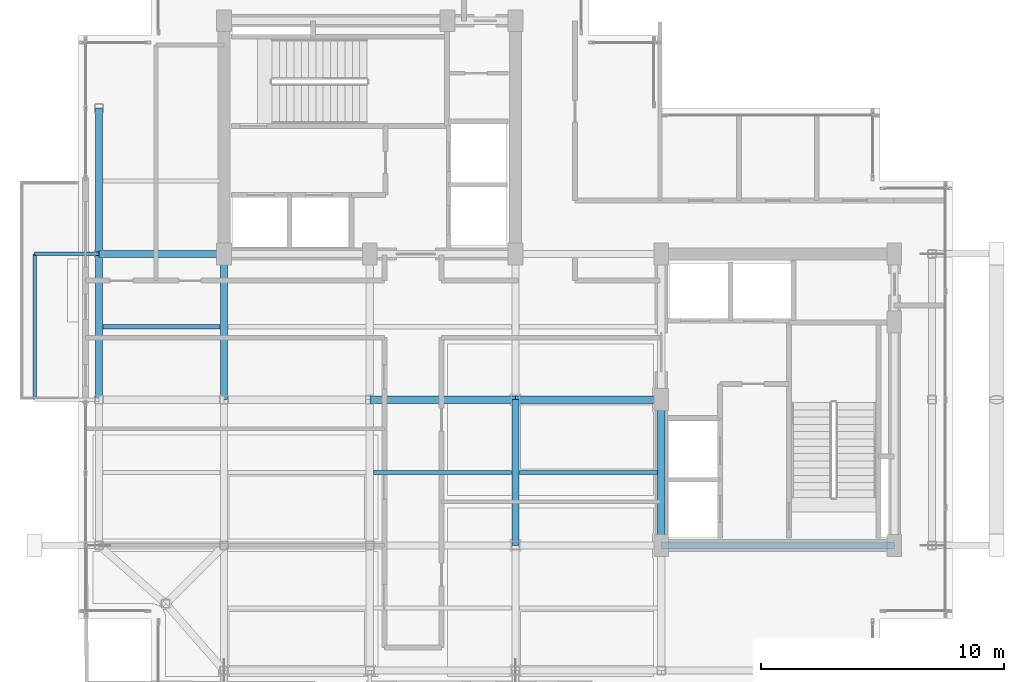
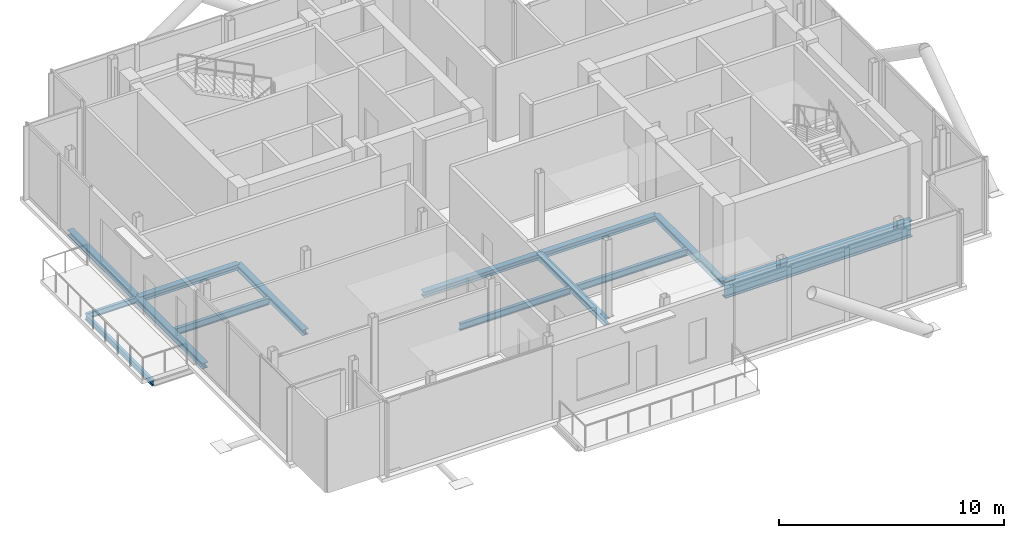
# One storey, part 4 of 16: 14 beams.
"""IFC4 building model written with IfcOpenShell, lengths in metres."""

from ifc_helpers import new_model, si_unit, direction, frame, origin, origin_2d, place, context, subcontext, project, spatial, i_section, extrude, material, material_profile, profile_set, type_object, element, save


model = new_model("IFC4")

# Units and contexts
model_context = context("Model", 3, precision=1e-05, world=origin(), true_north=direction((0.0, 1.0)))
body_context = subcontext(model_context, "Body", "Model", "MODEL_VIEW")
ifc_project = project(units=[si_unit("LENGTHUNIT", "METRE"), si_unit("AREAUNIT", "SQUARE_METRE"), si_unit("VOLUMEUNIT", "CUBIC_METRE"), si_unit("PLANEANGLEUNIT", "RADIAN"), si_unit("MASSUNIT", "GRAM", prefix="KILO"), si_unit("THERMODYNAMICTEMPERATUREUNIT", "KELVIN"), si_unit("POWERUNIT", "WATT")], contexts=[model_context])

# Site, building, storey
site_placement = place(None, origin())
site = spatial("IfcSite", under=ifc_project, at=site_placement, CompositionType="ELEMENT")
building_placement = place(site_placement, origin())
building = spatial("IfcBuilding", under=site, at=building_placement, Name="Svarakhadi Broadcast Tower", CompositionType="ELEMENT")
storey_placement = place(building_placement, frame((0.0, 0.0, 292.199951171875)))
storey = spatial("IfcBuildingStorey", under=building, at=storey_placement, Name="L74", CompositionType="ELEMENT", Elevation=292.199951171875)

# Beams
ifc_material_1 = material(Name="Steel S355J2 (IS 2062 E350C)", Category="steel")
ifc_material_profile_1 = material_profile(ifc_material_1, i_section(OverallWidth=0.169921875, OverallDepth=0.360107421875, WebThickness=0.008056640625, FlangeThickness=0.0126953125, FilletRadius=0.01806640625, at=origin_2d()), Name="NPB 360x170x57")
ifc_profile_set_1 = profile_set([ifc_material_profile_1], Name="Steel S355J2 (IS 2062 E350C)")
beam_type_1 = type_object("IfcBeamType", Name="Beam_NPB360", PredefinedType="BEAM", material=ifc_profile_set_1)
beam_1_placement = place(storey_placement, frame((1.010009765625, 15.0, -0.3798828125), z_axis=(1.0, 0.0, 0.0), x_axis=(0.0, 1.0, 0.0)))
element("IfcBeam", 1, at=beam_1_placement, inside=storey, type_object=beam_type_1, Name="L74 Secondary Composite Beam SB002", PredefinedType="BEAM", context=body_context, shape_type="SweptSolid", body=[
    extrude(i_section(OverallWidth=0.169921875, OverallDepth=0.360107421875, WebThickness=0.008056640625, FlangeThickness=0.0126953125, FilletRadius=0.01806640625, at=origin_2d()), origin(), (0.0, 0.0, 1.0), 4.830078125),
])
for number, where, z_axis, x_axis, name in (
    (2, (12.159912109375, 9.0, -0.3798828125), (1.0, 0.0, 0.0), (0.0, 1.0, 0.0), "L74 Secondary Composite Beam SB008"),
    (3, (18.159912109375, 9.0, -0.3798828125), (1.0, 0.0, 0.0), (0.0, 1.0, 0.0), "L74 Secondary Composite Beam SB011"),
):
    element("IfcBeam", number, at=place(storey_placement, frame(where, z_axis=z_axis, x_axis=x_axis)), inside=storey, type_object=beam_type_1, Name=name, PredefinedType="BEAM", context=body_context, shape_type="SweptSolid", body=[
        extrude(i_section(OverallWidth=0.169921875, OverallDepth=0.360107421875, WebThickness=0.008056640625, FlangeThickness=0.0126953125, FilletRadius=0.01806640625, at=origin_2d()), origin(), (0.0, 0.0, 1.0), 5.68017578125),
    ])
ifc_material_profile_2 = material_profile(ifc_material_1, i_section(OverallWidth=0.300048828125, OverallDepth=0.300048828125, WebThickness=0.010986328125, FlangeThickness=0.01904296875, FilletRadius=0.027099609375, at=origin_2d()), Name="WPB 300x300x117")
ifc_profile_set_2 = profile_set([ifc_material_profile_2], Name="Steel S355J2 (IS 2062 E350C)")
beam_type_2 = type_object("IfcBeamType", Name="Girder_WPB300", PredefinedType="USERDEFINED", material=ifc_profile_set_2)
for number, where, z_axis, x_axis, name in (
    (4, (12.0, 12.0, -0.349853515625), (1.0, 0.0, 0.0), (0.0, 1.0, 0.0), "L74 Primary E-W Girder G015"),
    (5, (18.0, 12.0, -0.349853515625), (1.0, 0.0, 0.0), (0.0, 1.0, 0.0), "L74 Primary E-W Girder G016"),
):
    element("IfcBeam", number, at=place(storey_placement, frame(where, z_axis=z_axis, x_axis=x_axis)), inside=storey, type_object=beam_type_2, Name=name, ObjectType="GIRDER", PredefinedType="USERDEFINED", context=body_context, shape_type="SweptSolid", body=[
        extrude(i_section(OverallWidth=0.300048828125, OverallDepth=0.300048828125, WebThickness=0.010986328125, FlangeThickness=0.01904296875, FilletRadius=0.027099609375, at=origin_2d()), origin(), (0.0, 0.0, 1.0), 6.0),
    ])
beam_2_placement = place(storey_placement, frame((0.85009765625, 18.0, -0.349853515625), z_axis=(1.0, 0.0, 0.0), x_axis=(0.0, 1.0, 0.0)))
element("IfcBeam", 6, at=beam_2_placement, inside=storey, type_object=beam_type_2, Name="L74 Primary E-W Girder G017", ObjectType="GIRDER", PredefinedType="USERDEFINED", context=body_context, shape_type="SweptSolid", body=[
    extrude(i_section(OverallWidth=0.300048828125, OverallDepth=0.300048828125, WebThickness=0.010986328125, FlangeThickness=0.01904296875, FilletRadius=0.027099609375, at=origin_2d()), origin(), (0.0, 0.0, 1.0), 5.14990234375),
])
for number, where, z_axis, x_axis, name in (
    (7, (0.85009765625, 12.0, -0.349853515625), (0.0, 1.0, 0.0), (-1.0, 0.0, 0.0), "L74 Primary N-S Girder G027"),
    (8, (0.85009765625, 18.0, -0.349853515625), (0.0, 1.0, 0.0), (-1.0, 0.0, 0.0), "L74 Primary N-S Girder G028"),
    (9, (6.0, 12.0, -0.349853515625), (0.0, 1.0, 0.0), (-1.0, 0.0, 0.0), "L74 Primary N-S Girder G031"),
    (10, (18.0, 6.0, -0.349853515625), (0.0, 1.0, 0.0), (-1.0, 0.0, 0.0), "L74 Primary N-S Girder G037"),
    (11, (24.0, 6.0, -0.349853515625), (0.0, 1.0, 0.0), (-1.0, 0.0, 0.0), "L74 Primary N-S Girder G041"),
):
    element("IfcBeam", number, at=place(storey_placement, frame(where, z_axis=z_axis, x_axis=x_axis)), inside=storey, type_object=beam_type_2, Name=name, ObjectType="GIRDER", PredefinedType="USERDEFINED", context=body_context, shape_type="SweptSolid", body=[
        extrude(i_section(OverallWidth=0.300048828125, OverallDepth=0.300048828125, WebThickness=0.010986328125, FlangeThickness=0.01904296875, FilletRadius=0.027099609375, at=origin_2d()), origin(), (0.0, 0.0, 1.0), 6.0),
    ])
ifc_material_2 = material(Name="Steel S460ML (IS 2062 E450BR)", Category="steel")
ifc_material_profile_3 = material_profile(ifc_material_2, i_section(OverallWidth=0.300048828125, OverallDepth=0.89990234375, WebThickness=0.0185546875, FlangeThickness=0.034912109375, FilletRadius=0.030029296875, at=origin_2d()), Name="WPB 900x300x291")
ifc_profile_set_3 = profile_set([ifc_material_profile_3], Name="Steel S460ML (IS 2062 E450BR)")
beam_type_3 = type_object("IfcBeamType", Name="Girder_WPB900", PredefinedType="USERDEFINED", material=ifc_profile_set_3)
beam_3_placement = place(storey_placement, frame((24.0, 6.0, -0.64990234375), z_axis=(1.0, 0.0, 0.0), x_axis=(0.0, 1.0, 0.0)))
element("IfcBeam", 12, at=beam_3_placement, inside=storey, type_object=beam_type_3, Name="L74 Primary E-W Girder G012", ObjectType="GIRDER", PredefinedType="USERDEFINED", context=body_context, shape_type="SweptSolid", body=[
    extrude(i_section(OverallWidth=0.300048828125, OverallDepth=0.89990234375, WebThickness=0.0185546875, FlangeThickness=0.034912109375, FilletRadius=0.030029296875, at=origin_2d()), origin(), (0.0, 0.0, 1.0), 9.60009765625),
])
ifc_material_profile_4 = material_profile(ifc_material_1, i_section(OverallWidth=0.14990234375, OverallDepth=0.300048828125, WebThickness=0.007080078125, FlangeThickness=0.0107421875, FilletRadius=0.014892578125, at=origin_2d()), Name="NPB 300x150x37")
ifc_profile_set_4 = profile_set([ifc_material_profile_4], Name="Steel S355J2 (IS 2062 E350C)")
beam_type_4 = type_object("IfcBeamType", Name="Spandrel_NPB300", PredefinedType="SPANDREL", material=ifc_profile_set_4)
beam_4_placement = place(storey_placement, frame((0.85009765625, 18.0, -0.375), z_axis=(-1.0, 0.0, 0.0), x_axis=(0.0, -1.0, 0.0)))
element("IfcBeam", 13, at=beam_4_placement, inside=storey, type_object=beam_type_4, Name="L74 Balcony Cantilever Bracket 2B", PredefinedType="SPANDREL", context=body_context, shape_type="SweptSolid", body=[
    extrude(i_section(OverallWidth=0.14990234375, OverallDepth=0.300048828125, WebThickness=0.007080078125, FlangeThickness=0.0107421875, FilletRadius=0.014892578125, at=origin_2d()), origin(), (0.0, 0.0, 1.0), 2.650146484375),
])
beam_5_placement = place(storey_placement, frame((-1.800048828125, 12.0, -0.375), z_axis=(0.0, 1.0, 0.0), x_axis=(-1.0, 0.0, 0.0)))
element("IfcBeam", 14, at=beam_5_placement, inside=storey, type_object=beam_type_4, Name="L74 Balcony Outer Spandrel 2F", PredefinedType="SPANDREL", context=body_context, shape_type="SweptSolid", body=[
    extrude(i_section(OverallWidth=0.14990234375, OverallDepth=0.300048828125, WebThickness=0.007080078125, FlangeThickness=0.0107421875, FilletRadius=0.014892578125, at=origin_2d()), origin(), (0.0, 0.0, 1.0), 6.0),
])

save(model, "model.ifc")
